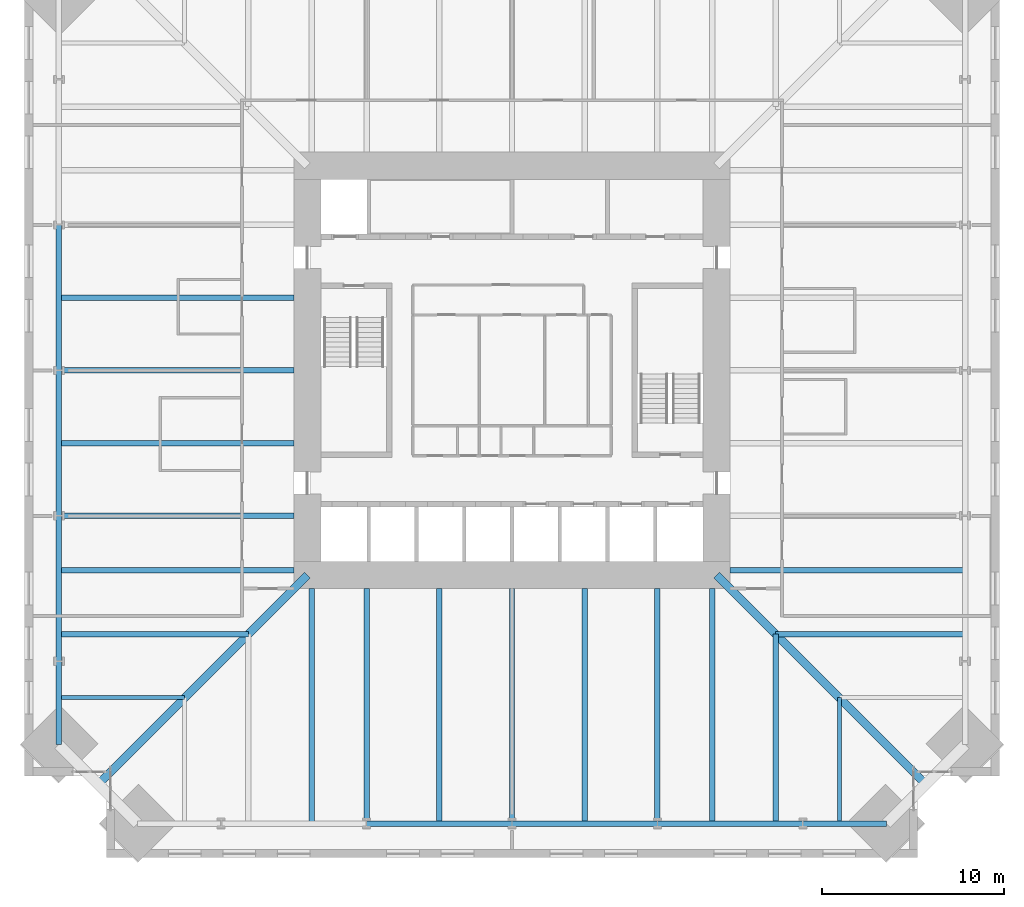
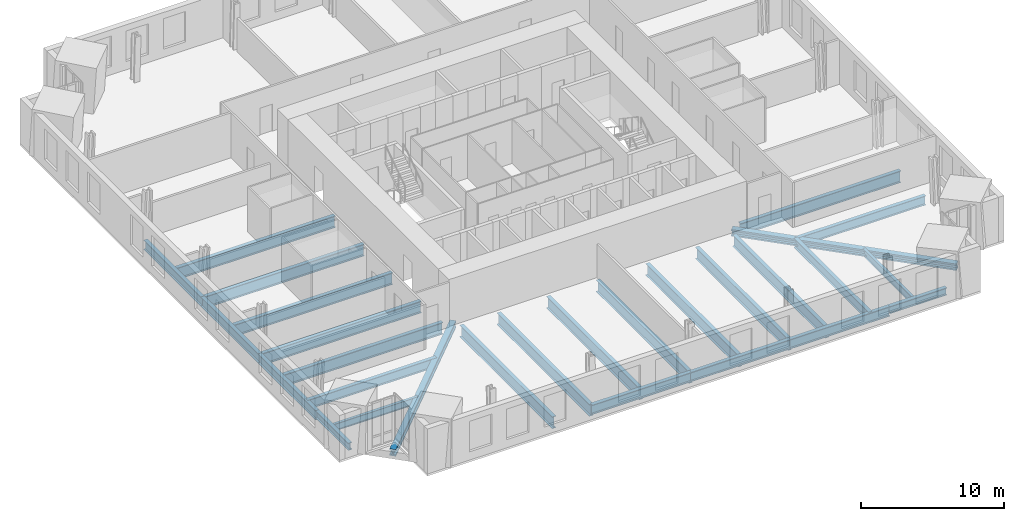
# One storey, part 3 of 17: 28 beams.
"""IFC4 building model written with IfcOpenShell, lengths in metres."""

from ifc_helpers import new_model, si_unit, direction, frame, origin, origin_2d, place, context, subcontext, project, spatial, i_section, extrude, material, material_profile, profile_set, type_object, element, save


model = new_model("IFC4")

# Units and contexts
model_context = context("Model", 3, precision=1e-05, world=origin(), true_north=direction((0.0, 1.0)))
body_context = subcontext(model_context, "Body", "Model", "MODEL_VIEW")
ifc_project = project(units=[si_unit("LENGTHUNIT", "METRE"), si_unit("AREAUNIT", "SQUARE_METRE"), si_unit("VOLUMEUNIT", "CUBIC_METRE"), si_unit("PLANEANGLEUNIT", "RADIAN"), si_unit("MASSUNIT", "GRAM", prefix="KILO")], contexts=[model_context])

# Site, building, storey
site_placement = place(None, origin())
site = spatial("IfcSite", under=ifc_project, at=site_placement, CompositionType="ELEMENT")
building_placement = place(site_placement, origin())
building = spatial("IfcBuilding", under=site, at=building_placement, Name="Peilmerk Tower", CompositionType="ELEMENT")
storey_placement = place(building_placement, frame((0.0, 0.0, 147.800048828125)))
storey = spatial("IfcBuildingStorey", under=building, at=storey_placement, Name="L30", CompositionType="ELEMENT", Elevation=147.800048828125)

# Beams
ifc_material_1 = material(Name="Steel S355", Category="steel")
ifc_material_profile_1 = material_profile(ifc_material_1, i_section(OverallWidth=0.219970703125, OverallDepth=0.60009765625, WebThickness=0.011962890625, FlangeThickness=0.01904296875, at=origin_2d()), Name="IPE 600")
ifc_profile_set_1 = profile_set([ifc_material_profile_1], Name="Steel S355")
beam_type_1 = type_object("IfcBeamType", Name="B10 IPE 600 floor beam", PredefinedType="BEAM", material=ifc_profile_set_1)
for number, where, z_axis, x_axis, name in (
    (1, (18.0, -18.0, -0.469970703125), (0.0, -1.0, 0.0), (1.0, 0.0, 0.0), "Floor beam L30"),
    (2, (-18.0, -18.0, -0.469970703125), (-1.0, 0.0, 0.0), (0.0, -1.0, 0.0), "Floor beam L30"),
):
    element("IfcBeam", number, at=place(storey_placement, frame(where, z_axis=z_axis, x_axis=x_axis)), inside=storey, type_object=beam_type_1, Name=name, PredefinedType="BEAM", context=body_context, shape_type="SweptSolid", body=[
        extrude(i_section(OverallWidth=0.219970703125, OverallDepth=0.60009765625, WebThickness=0.011962890625, FlangeThickness=0.01904296875, at=origin_2d()), origin(), (0.0, 0.0, 1.0), 6.93701171875),
    ])
ifc_material_profile_2 = material_profile(ifc_material_1, i_section(OverallWidth=0.302978515625, OverallDepth=0.81396484375, WebThickness=0.02099609375, FlangeThickness=0.0400390625, at=origin_2d()), Name="HEM 800")
ifc_profile_set_2 = profile_set([ifc_material_profile_2], Name="Steel S355")
beam_type_2 = type_object("IfcBeamType", Name="B15 HEM 800 edge beam", PredefinedType="SPANDREL", material=ifc_profile_set_2)
for number, where, z_axis, x_axis, name in (
    (3, (-8.0, -24.93701171875, -0.5771484375), (1.0, 0.0, 0.0), (0.0, 1.0, 0.0), "Edge beam L30"),
    (4, (0.0, -24.93701171875, -0.5771484375), (1.0, 0.0, 0.0), (0.0, 1.0, 0.0), "Edge beam L30"),
    (5, (8.0, -24.93701171875, -0.5771484375), (1.0, 0.0, 0.0), (0.0, 1.0, 0.0), "Edge beam L30"),
    (6, (-24.93701171875, 8.0, -0.5771484375), (0.0, -1.0, 0.0), (1.0, 0.0, 0.0), "Edge beam L30"),
    (7, (-24.93701171875, 0.0, -0.5771484375), (0.0, -1.0, 0.0), (1.0, 0.0, 0.0), "Edge beam L30"),
    (8, (-24.93701171875, -8.0, -0.5771484375), (0.0, -1.0, 0.0), (1.0, 0.0, 0.0), "Edge beam L30"),
):
    element("IfcBeam", number, at=place(storey_placement, frame(where, z_axis=z_axis, x_axis=x_axis)), inside=storey, type_object=beam_type_2, Name=name, PredefinedType="SPANDREL", context=body_context, shape_type="SweptSolid", body=[
        extrude(i_section(OverallWidth=0.302978515625, OverallDepth=0.81396484375, WebThickness=0.02099609375, FlangeThickness=0.0400390625, at=origin_2d()), origin(), (0.0, 0.0, 1.0), 8.0),
    ])
ifc_material_profile_3 = material_profile(ifc_material_1, i_section(OverallWidth=0.300048828125, OverallDepth=0.7900390625, WebThickness=0.014892578125, FlangeThickness=0.028076171875, at=origin_2d()), Name="HEA 800")
ifc_profile_set_3 = profile_set([ifc_material_profile_3], Name="Steel S355")
beam_type_3 = type_object("IfcBeamType", Name="B3 HEA 800 floor beam", PredefinedType="BEAM", material=ifc_profile_set_3)
for number, where, z_axis, x_axis, name in (
    (9, (14.5, -14.5, -0.56494140625), (0.0, -1.0, 0.0), (1.0, 0.0, 0.0), "Floor beam L30"),
    (10, (14.5, -14.5, -0.56494140625), (1.0, 0.0, 0.0), (0.0, 1.0, 0.0), "Floor beam L30"),
    (11, (-14.5, -14.5, -0.56494140625), (-1.0, 0.0, 0.0), (0.0, -1.0, 0.0), "Floor beam L30"),
):
    element("IfcBeam", number, at=place(storey_placement, frame(where, z_axis=z_axis, x_axis=x_axis)), inside=storey, type_object=beam_type_3, Name=name, PredefinedType="BEAM", context=body_context, shape_type="SweptSolid", body=[
        extrude(i_section(OverallWidth=0.300048828125, OverallDepth=0.7900390625, WebThickness=0.014892578125, FlangeThickness=0.028076171875, at=origin_2d()), origin(), (0.0, 0.0, 1.0), 10.43701171875),
    ])
ifc_material_profile_4 = material_profile(ifc_material_1, i_section(OverallWidth=0.304931640625, OverallDepth=0.6201171875, WebThickness=0.02099609375, FlangeThickness=0.0400390625, at=origin_2d()), Name="HEM 600")
ifc_profile_set_4 = profile_set([ifc_material_profile_4], Name="Steel S355")
beam_type_4 = type_object("IfcBeamType", Name="B31 HEM 600 edge beam", PredefinedType="SPANDREL", material=ifc_profile_set_4)
for number, where, z_axis, x_axis, name in (
    (12, (16.0, -24.93701171875, -0.47998046875), (1.0, 0.0, 0.0), (0.0, 1.0, 0.0), "Edge beam L30"),
    (13, (-24.93701171875, -16.0, -0.47998046875), (0.0, -1.0, 0.0), (1.0, 0.0, 0.0), "Edge beam L30"),
):
    element("IfcBeam", number, at=place(storey_placement, frame(where, z_axis=z_axis, x_axis=x_axis)), inside=storey, type_object=beam_type_4, Name=name, PredefinedType="SPANDREL", context=body_context, shape_type="SweptSolid", body=[
        extrude(i_section(OverallWidth=0.304931640625, OverallDepth=0.6201171875, WebThickness=0.02099609375, FlangeThickness=0.0400390625, at=origin_2d()), origin(), (0.0, 0.0, 1.0), 4.587158203125),
    ])
ifc_material_profile_5 = material_profile(ifc_material_1, i_section(OverallWidth=0.300048828125, OverallDepth=1.0, WebThickness=0.01904296875, FlangeThickness=0.035888671875, at=origin_2d()), Name="HEB 1000")
ifc_profile_set_5 = profile_set([ifc_material_profile_5], Name="Steel S355")
beam_type_5 = type_object("IfcBeamType", Name="B5 HEB 1000 floor girder", PredefinedType="BEAM", material=ifc_profile_set_5)
for number, where, z_axis, x_axis, name in (
    (14, (12.0, -11.0, -0.670166015625), (1.0, 0.0, 0.0), (0.0, 1.0, 0.0), "Floor beam L30"),
    (15, (-11.0, -12.0, -0.670166015625), (0.0, -1.0, 0.0), (1.0, 0.0, 0.0), "Floor beam L30"),
    (16, (-8.0, -12.0, -0.670166015625), (0.0, -1.0, 0.0), (1.0, 0.0, 0.0), "Floor beam L30"),
    (17, (-4.0, -12.0, -0.670166015625), (0.0, -1.0, 0.0), (1.0, 0.0, 0.0), "Floor beam L30"),
    (18, (0.0, -12.0, -0.670166015625), (0.0, -1.0, 0.0), (1.0, 0.0, 0.0), "Floor beam L30"),
    (19, (4.0, -12.0, -0.670166015625), (0.0, -1.0, 0.0), (1.0, 0.0, 0.0), "Floor beam L30"),
    (20, (8.0, -12.0, -0.670166015625), (0.0, -1.0, 0.0), (1.0, 0.0, 0.0), "Floor beam L30"),
    (21, (11.0, -12.0, -0.670166015625), (0.0, -1.0, 0.0), (1.0, 0.0, 0.0), "Floor beam L30"),
    (22, (-12.0, 4.0, -0.670166015625), (-1.0, 0.0, 0.0), (0.0, -1.0, 0.0), "Floor beam L30"),
    (23, (-12.0, 0.0, -0.670166015625), (-1.0, 0.0, 0.0), (0.0, -1.0, 0.0), "Floor beam L30"),
    (24, (-12.0, -4.0, -0.670166015625), (-1.0, 0.0, 0.0), (0.0, -1.0, 0.0), "Floor beam L30"),
    (25, (-12.0, -8.0, -0.670166015625), (-1.0, 0.0, 0.0), (0.0, -1.0, 0.0), "Floor beam L30"),
    (26, (-12.0, -11.0, -0.670166015625), (-1.0, 0.0, 0.0), (0.0, -1.0, 0.0), "Floor beam L30"),
):
    element("IfcBeam", number, at=place(storey_placement, frame(where, z_axis=z_axis, x_axis=x_axis)), inside=storey, type_object=beam_type_5, Name=name, PredefinedType="BEAM", context=body_context, shape_type="SweptSolid", body=[
        extrude(i_section(OverallWidth=0.300048828125, OverallDepth=1.0, WebThickness=0.01904296875, FlangeThickness=0.035888671875, at=origin_2d()), origin(), (0.0, 0.0, 1.0), 12.93701171875),
    ])
ifc_material_2 = material(Name="Steel S460", Category="steel")
ifc_material_profile_6 = material_profile(ifc_material_2, i_section(OverallWidth=0.4541015625, OverallDepth=0.569091796875, WebThickness=0.077880859375, FlangeThickness=0.125, at=origin_2d()), Name="HD 400x1086")
ifc_profile_set_6 = profile_set([ifc_material_profile_6], Name="Steel S460")
beam_type_6 = type_object("IfcBeamType", Name="B9 HD 400x1086 corner girder", PredefinedType="BEAM", material=ifc_profile_set_6)
for number, where, z_axis, x_axis, name in (
    (27, (11.25, -11.25, -0.45458984375), (0.707106781187, -0.707106781187, 0.0), (0.707106781187, 0.707106781187, 0.0), "Corner girder L30"),
    (28, (-11.25, -11.25, -0.45458984375), (-0.707106781187, -0.707106781187, 0.0), (0.707106781187, -0.707106781187, 0.0), "Corner girder L30"),
):
    element("IfcBeam", number, at=place(storey_placement, frame(where, z_axis=z_axis, x_axis=x_axis)), inside=storey, type_object=beam_type_6, Name=name, PredefinedType="BEAM", context=body_context, shape_type="SweptSolid", body=[
        extrude(i_section(OverallWidth=0.4541015625, OverallDepth=0.569091796875, WebThickness=0.077880859375, FlangeThickness=0.125, at=origin_2d()), origin(), (0.0, 0.0, 1.0), 16.28076171875),
    ])

save(model, "model.ifc")
